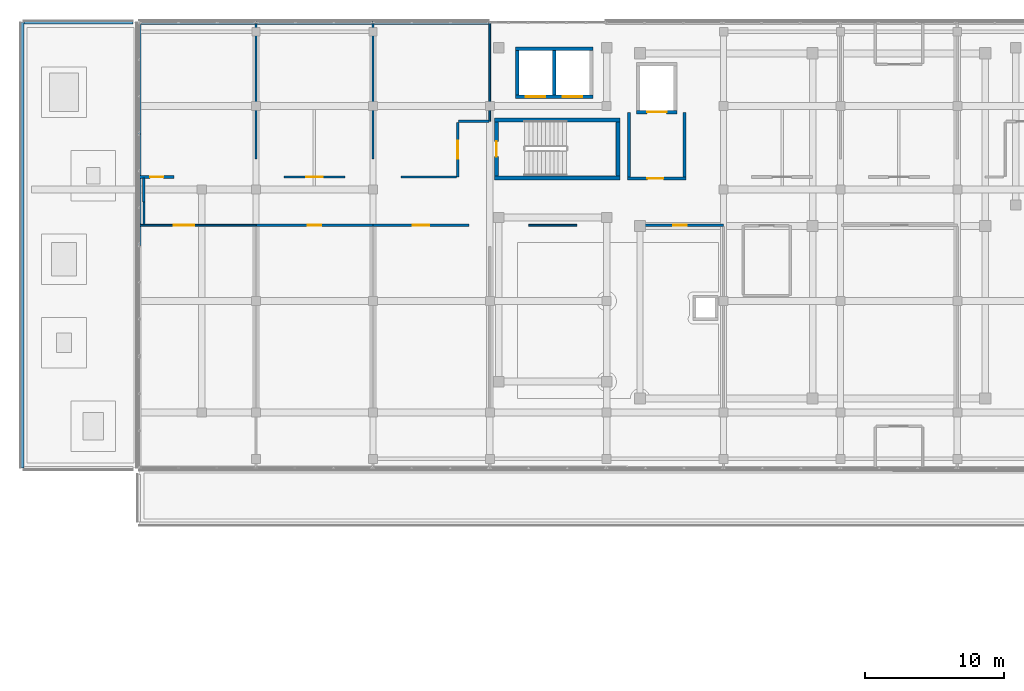
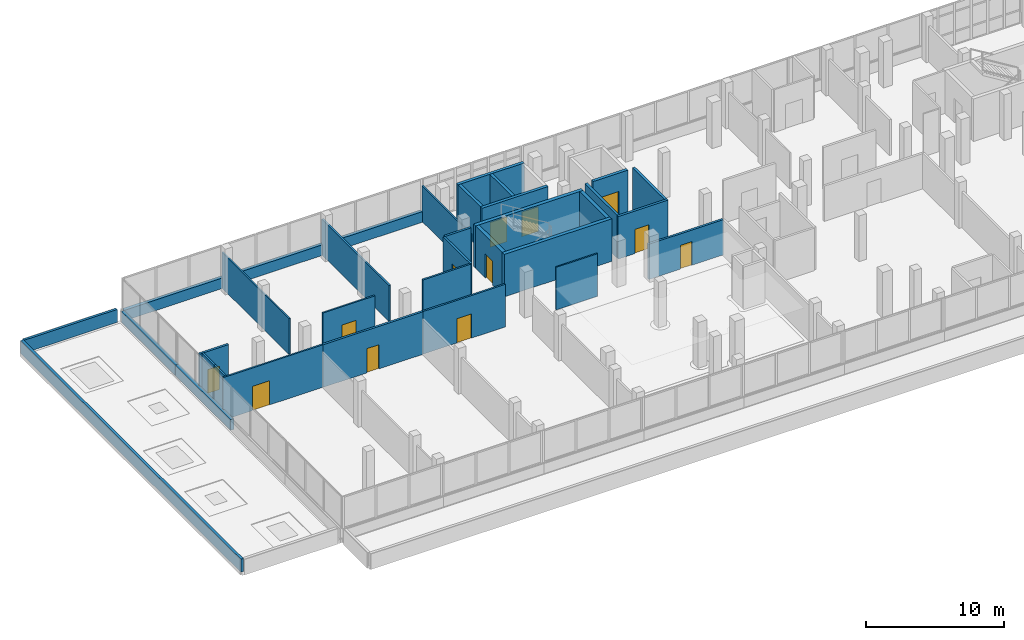
# One storey, part 67 of 78: 34 walls, 12 doors, 12 openings.
"""IFC4 building model written with IfcOpenShell, lengths in metres."""

from ifc_helpers import new_model, si_unit, direction, frame, frame_2d, origin, place, context, subcontext, project, spatial, rectangle, extrude, material, layer, layer_set, type_object, element, fill, save


model = new_model("IFC4")

# Units and contexts
model_context = context("Model", 3, precision=1e-05, world=origin(), true_north=direction((0.0, 1.0)))
body_context = subcontext(model_context, "Body", "Model", "MODEL_VIEW")
ifc_project = project(units=[si_unit("LENGTHUNIT", "METRE"), si_unit("AREAUNIT", "SQUARE_METRE"), si_unit("VOLUMEUNIT", "CUBIC_METRE"), si_unit("PLANEANGLEUNIT", "RADIAN"), si_unit("MASSUNIT", "GRAM", prefix="KILO")], contexts=[model_context])

# Site, building, storey
site_placement = place(None, origin())
site = spatial("IfcSite", under=ifc_project, at=site_placement, CompositionType="ELEMENT")
building_placement = place(site_placement, origin())
building = spatial("IfcBuilding", under=site, at=building_placement, Name="Selatvlak General Hospital", CompositionType="ELEMENT")
storey_placement = place(building_placement, frame((0.0, 0.0, 23.25)))
storey = spatial("IfcBuildingStorey", under=building, at=storey_placement, Name="L05", CompositionType="ELEMENT", Elevation=23.25)

# Walls
ifc_material_1 = material(Name="Precast concrete C40/50 - white Bauhaus spandrel", Category="concrete")
ifc_layer_1 = layer(ifc_material_1, 0.280029296875, Name="Precast concrete C40/50 - white Bauhaus spandrel", Category="concrete")
ifc_layer_set_1 = layer_set([ifc_layer_1], Name="Precast concrete C40/50 - white Bauhaus spandrel")
wall_type_1 = type_object("IfcWallType", Name="WALL-EW-02", PredefinedType="SOLIDWALL", material=ifc_layer_set_1)
wall_1_placement = place(storey_placement, frame((22.800048828125, 104.0009765625, 0.0), z_axis=(0.0, 0.0, 1.0), x_axis=(0.0, 1.0, 0.0)))
element("IfcWall", 1, at=wall_1_placement, inside=storey, type_object=wall_type_1, Name="L05 Bauhaus spandrel sill wall 0478", PredefinedType="SOLIDWALL", context=body_context, shape_type="SweptSolid", body=[
    extrude(rectangle(XDim=7.99609375, YDim=0.280029296875, at=frame_2d((3.998046875, 0.0))), origin(), (0.0, 0.0, 1.0), 0.93994140625),
])
wall_2_placement = place(storey_placement, frame((22.800048828125, 112.0009765625, 0.0), z_axis=(0.0, 0.0, 1.0), x_axis=(0.0, 1.0, 0.0)))
element("IfcWall", 2, at=wall_2_placement, inside=storey, type_object=wall_type_1, Name="L05 Bauhaus spandrel sill wall 0479", PredefinedType="SOLIDWALL", context=body_context, shape_type="SweptSolid", body=[
    extrude(rectangle(XDim=7.85791015625, YDim=0.280029296875, at=frame_2d((3.928955078125, 0.0))), origin(), (0.0, 0.0, 1.0), 0.93994140625),
])
wall_3_placement = place(storey_placement, frame((22.93994140625, 119.9990234375, 0.0), z_axis=(0.0, 0.0, 1.0), x_axis=(1.0, 0.0, 0.0)))
element("IfcWall", 3, at=wall_3_placement, inside=storey, type_object=wall_type_1, Name="L05 Bauhaus spandrel sill wall 0480", PredefinedType="SOLIDWALL", context=body_context, shape_type="SweptSolid", body=[
    extrude(rectangle(XDim=8.237060546875, YDim=0.280029296875, at=frame_2d((4.11865234375, 0.0))), origin(), (0.0, 0.0, 1.0), 0.93994140625),
])
for number, where, z_axis, x_axis, name in (
    (4, (31.180908203125, 119.9990234375, 0.0), (0.0, 0.0, 1.0), (1.0, 0.0, 0.0), "L05 Bauhaus spandrel sill wall 0481"),
    (5, (39.56005859375, 119.9990234375, 0.0), (0.0, 0.0, 1.0), (1.0, 0.0, 0.0), "L05 Bauhaus spandrel sill wall 0482"),
):
    element("IfcWall", number, at=place(storey_placement, frame(where, z_axis=z_axis, x_axis=x_axis)), inside=storey, type_object=wall_type_1, Name=name, PredefinedType="SOLIDWALL", context=body_context, shape_type="SweptSolid", body=[
        extrude(rectangle(XDim=8.375, YDim=0.280029296875, at=frame_2d((4.1875, 0.0))), origin(), (0.0, 0.0, 1.0), 0.93994140625),
    ])

# Wall, opening, door
ifc_material_2 = material(Name="Concrete C40/50", Category="concrete")
ifc_layer_2 = layer(ifc_material_2, 0.199951171875, Name="Concrete C40/50", Category="concrete")
ifc_layer_set_2 = layer_set([ifc_layer_2], Name="Concrete C40/50")
wall_type_2 = type_object("IfcWallType", Name="WALL-IW-02", PredefinedType="SOLIDWALL", material=ifc_layer_set_2)
wall_4_placement = place(storey_placement, frame((57.89990234375, 108.800048828125, 0.0), z_axis=(0.0, 0.0, 1.0), x_axis=(1.0, 0.0, 0.0)))
wall_4 = element("IfcWall", 6, at=wall_4_placement, inside=storey, type_object=wall_type_2, Name="Firefighting lobby C1 wall L05 S", PredefinedType="SOLIDWALL", context=body_context, shape_type="SweptSolid", body=[
    extrude(rectangle(XDim=4.2001953125, YDim=0.199951171875, at=frame_2d((2.10009765625, 0.0))), origin(), (0.0, 0.0, 1.0), 3.77490234375),
])
opening_1_placement = place(wall_4_placement, frame((1.425048828125, 0.0, 0.0)))
opening_1 = element("IfcOpeningElement", 7, at=opening_1_placement, cuts=wall_4, Name="Opening D-06", PredefinedType="OPENING", context=body_context, shape_type="SweptSolid", body=[
    extrude(rectangle(XDim=1.14990234375, YDim=2.14990234375, at=frame_2d((0.574951171875, 1.074951171875))), frame((0.0, 0.10986328125, 0.0), z_axis=(0.0, -1.0, 0.0), x_axis=(1.0, 0.0, 0.0)), (0.0, 0.0, 1.0), 0.219970703125),
])
ifc_material_3 = material(Name="Firefighting lobby fire door")
door_type_1 = type_object("IfcDoorType", Name="DOOR-D-06", OperationType="NOTDEFINED", PredefinedType="DOOR", material=ifc_material_3)
door_1_placement = place(opening_1_placement, origin())
door_1 = element("IfcDoor", 8, at=door_1_placement, inside=storey, type_object=door_type_1, Name="Firefighting lobby C1 door on L05", OperationType="SINGLE_SWING_RIGHT", OverallHeight=2.14990234375, OverallWidth=1.14990234375, PredefinedType="DOOR", context=body_context, shape_type="SweptSolid", body=[
    extrude(rectangle(XDim=1.14990234375, YDim=2.14990234375, at=frame_2d((0.574951171875, 1.074951171875))), frame((0.0, 0.02490234375, 0.0), z_axis=(0.0, -1.0, 0.0), x_axis=(1.0, 0.0, 0.0)), (0.0, 0.0, 1.0), 0.050048828125),
])
fill(opening_1, door_1)

# Walls
for number, where, z_axis, x_axis, name in (
    (9, (62.0, 108.89990234375, 0.0), (0.0, 0.0, 1.0), (0.0, 1.0, 0.0), "Firefighting lobby C1 wall L05 E"),
    (10, (58.0, 113.550048828125, 0.0), (0.0, 0.0, 1.0), (0.0, -1.0, 0.0), "Firefighting lobby C1 wall L05 W"),
):
    element("IfcWall", number, at=place(storey_placement, frame(where, z_axis=z_axis, x_axis=x_axis)), inside=storey, type_object=wall_type_2, Name=name, PredefinedType="SOLIDWALL", context=body_context, shape_type="SweptSolid", body=[
        extrude(rectangle(XDim=4.650146484375, YDim=0.199951171875, at=frame_2d((2.3251953125, 0.0))), origin(), (0.0, 0.0, 1.0), 3.77490234375),
    ])
ifc_material_4 = material(Name="Precast concrete C40/50 - white fair-faced", Category="concrete")
ifc_layer_3 = layer(ifc_material_4, 0.199951171875, Name="Precast concrete C40/50 - white fair-faced", Category="concrete")
ifc_layer_set_3 = layer_set([ifc_layer_3], Name="Precast concrete C40/50 - white fair-faced")
wall_type_3 = type_object("IfcWallType", Name="WALL-PR-01", PredefinedType="PARAPET", material=ifc_layer_set_3)
wall_5_placement = place(storey_placement, frame((14.51806640625, 120.0, 0.050048828125), z_axis=(0.0, 0.0, 1.0), x_axis=(1.0, 0.0, 0.0)))
element("IfcWall", 11, at=wall_5_placement, inside=storey, type_object=wall_type_3, Name="L05 roof parapet upstand PAR-L05-035", PredefinedType="PARAPET", context=body_context, shape_type="SweptSolid", body=[
    extrude(rectangle(XDim=7.822998046875, YDim=0.199951171875, at=frame_2d((3.91162109375, 0.0))), origin(), (0.0, 0.0, 1.0), 1.14990234375),
])
ifc_layer_4 = layer(ifc_material_4, 0.219970703125, Name="Precast concrete C40/50 - white fair-faced", Category="concrete")
ifc_layer_set_4 = layer_set([ifc_layer_4], Name="Precast concrete C40/50 - white fair-faced")
wall_type_4 = type_object("IfcWallType", Name="WALL-PR-02", PredefinedType="PARAPET", material=ifc_layer_set_4)
wall_6_placement = place(storey_placement, frame((14.39990234375, 88.0, 0.050048828125), z_axis=(0.0, 0.0, 1.0), x_axis=(0.0, 1.0, 0.0)))
element("IfcWall", 12, at=wall_6_placement, inside=storey, type_object=wall_type_4, Name="L05 roof parapet upstand PAR-L05-034", PredefinedType="PARAPET", context=body_context, shape_type="SweptSolid", body=[
    extrude(rectangle(XDim=32.0, YDim=0.219970703125, at=frame_2d((16.0, 0.0))), origin(), (0.0, 0.0, 1.0), 1.14990234375),
])

# Wall, opening, door
ifc_material_5 = material(Name="Acoustic gypsum stud partition")
ifc_layer_5 = layer(ifc_material_5, 0.179931640625, Name="Acoustic gypsum stud partition")
ifc_layer_set_5 = layer_set([ifc_layer_5], Name="Acoustic gypsum stud partition")
wall_type_5 = type_object("IfcWallType", Name="WALL-PT-01", PredefinedType="PARTITIONING", material=ifc_layer_set_5)
wall_7_placement = place(storey_placement, frame((31.199951171875, 105.43994140625, 0.0), z_axis=(0.0, 0.0, 1.0), x_axis=(1.0, 0.0, 0.0)))
wall_7 = element("IfcWall", 13, at=wall_7_placement, inside=storey, type_object=wall_type_5, Name="L05 clinical partition PT-L05-1860", PredefinedType="PARTITIONING", context=body_context, shape_type="SweptSolid", body=[
    extrude(rectangle(XDim=8.400146484375, YDim=0.179931640625, at=frame_2d((4.2001953125, 0.0))), origin(), (0.0, 0.0, 1.0), 3.77490234375),
])
opening_2_placement = place(wall_7_placement, frame((3.699951171875, 0.0, 0.0)))
opening_2 = element("IfcOpeningElement", 14, at=opening_2_placement, cuts=wall_7, Name="Opening D-21", PredefinedType="OPENING", context=body_context, shape_type="SweptSolid", body=[
    extrude(rectangle(XDim=1.0, YDim=2.14990234375, at=frame_2d((0.5, 1.074951171875))), frame((0.0, 0.099853515625, 0.0), z_axis=(0.0, -1.0, 0.0), x_axis=(1.0, 0.0, 0.0)), (0.0, 0.0, 1.0), 0.199951171875),
])
ifc_material_6 = material(Name="Laboratory fire door")
door_type_2 = type_object("IfcDoorType", Name="DOOR-D-21", OperationType="NOTDEFINED", PredefinedType="DOOR", material=ifc_material_6)
door_2_placement = place(opening_2_placement, origin())
door_2 = element("IfcDoor", 15, at=door_2_placement, inside=storey, type_object=door_type_2, Name="L05 Surgical Step-Down Ward Bay 03 door", OperationType="SINGLE_SWING_LEFT", OverallHeight=2.14990234375, OverallWidth=1.0, PredefinedType="DOOR", context=body_context, shape_type="SweptSolid", body=[
    extrude(rectangle(XDim=1.0, YDim=2.14990234375, at=frame_2d((0.5, 1.074951171875))), frame((0.0, 0.02490234375, 0.0), z_axis=(0.0, -1.0, 0.0), x_axis=(1.0, 0.0, 0.0)), (0.0, 0.0, 1.0), 0.050048828125),
])
fill(opening_2, door_2)

wall_8_placement = place(storey_placement, frame((58.534912109375, 105.43994140625, 0.0), z_axis=(0.0, 0.0, 1.0), x_axis=(1.0, 0.0, 0.0)))
wall_8 = element("IfcWall", 16, at=wall_8_placement, inside=storey, type_object=wall_type_5, Name="L05 clinical partition PT-L05-1865", PredefinedType="PARTITIONING", context=body_context, shape_type="SweptSolid", body=[
    extrude(rectangle(XDim=6.26513671875, YDim=0.179931640625, at=frame_2d((3.132568359375, 0.0))), origin(), (0.0, 0.0, 1.0), 3.125),
])
opening_3_placement = place(wall_8_placement, frame((2.657958984375, 0.0, 0.0)))
opening_3 = element("IfcOpeningElement", 17, at=opening_3_placement, cuts=wall_8, Name="Opening D-02", PredefinedType="OPENING", context=body_context, shape_type="SweptSolid", body=[
    extrude(rectangle(XDim=0.949951171875, YDim=2.10009765625, at=frame_2d((0.47509765625, 1.050048828125))), frame((0.0, 0.099853515625, 0.0), z_axis=(0.0, -1.0, 0.0), x_axis=(1.0, 0.0, 0.0)), (0.0, 0.0, 1.0), 0.199951171875),
])
ifc_material_7 = material(Name="Moisture-resistant en-suite door")
door_type_3 = type_object("IfcDoorType", Name="DOOR-D-02", OperationType="NOTDEFINED", PredefinedType="DOOR", material=ifc_material_7)
door_3_placement = place(opening_3_placement, origin())
door_3 = element("IfcDoor", 18, at=door_3_placement, inside=storey, type_object=door_type_3, Name="L05 Inpatient Rehabilitation Dayroom 05 door", OperationType="SINGLE_SWING_LEFT", OverallHeight=2.10009765625, OverallWidth=0.949951171875, PredefinedType="DOOR", context=body_context, shape_type="SweptSolid", body=[
    extrude(rectangle(XDim=0.949951171875, YDim=2.10009765625, at=frame_2d((0.47509765625, 1.050048828125))), frame((0.0, 0.02490234375, 0.0), z_axis=(0.0, -1.0, 0.0), x_axis=(1.0, 0.0, 0.0)), (0.0, 0.0, 1.0), 0.050048828125),
])
fill(opening_3, door_3)

wall_9_placement = place(storey_placement, frame((25.2890625, 108.909912109375, 0.0), z_axis=(0.0, 0.0, 1.0), x_axis=(-1.0, 0.0, 0.0)))
wall_9 = element("IfcWall", 19, at=wall_9_placement, inside=storey, type_object=wall_type_5, Name="L05 clinical partition PT-L05-1915", PredefinedType="PARTITIONING", context=body_context, shape_type="SweptSolid", body=[
    extrude(rectangle(XDim=2.447021484375, YDim=0.179931640625, at=frame_2d((1.2236328125, 0.0))), origin(), (0.0, 0.0, 1.0), 3.77490234375),
])
opening_4_placement = place(wall_9_placement, frame((0.7490234375, 0.0, 0.0)))
opening_4 = element("IfcOpeningElement", 20, at=opening_4_placement, cuts=wall_9, Name="Opening D-02", PredefinedType="OPENING", context=body_context, shape_type="SweptSolid", body=[
    extrude(rectangle(XDim=0.949951171875, YDim=2.10009765625, at=frame_2d((0.47509765625, 1.050048828125))), frame((0.0, 0.099853515625, 0.0), z_axis=(0.0, -1.0, 0.0), x_axis=(1.0, 0.0, 0.0)), (0.0, 0.0, 1.0), 0.199951171875),
])
door_4_placement = place(opening_4_placement, origin())
door_4 = element("IfcDoor", 21, at=door_4_placement, inside=storey, type_object=door_type_3, Name="L05 Acute General Medicine Ward Bay 20 door", OperationType="SINGLE_SWING_LEFT", OverallHeight=2.10009765625, OverallWidth=0.949951171875, PredefinedType="DOOR", context=body_context, shape_type="SweptSolid", body=[
    extrude(rectangle(XDim=0.949951171875, YDim=2.10009765625, at=frame_2d((0.47509765625, 1.050048828125))), frame((0.0, 0.02490234375, 0.0), z_axis=(0.0, -1.0, 0.0), x_axis=(1.0, 0.0, 0.0)), (0.0, 0.0, 1.0), 0.050048828125),
])
fill(opening_4, door_4)

# Walls
wall_10_placement = place(storey_placement, frame((47.944091796875, 112.89990234375, 0.0), z_axis=(0.0, 0.0, 1.0), x_axis=(-1.0, 0.0, 0.0)))
element("IfcWall", 22, at=wall_10_placement, inside=storey, type_object=wall_type_5, Name="L05 clinical partition PT-L05-1920", PredefinedType="PARTITIONING", context=body_context, shape_type="SweptSolid", body=[
    extrude(rectangle(XDim=2.194091796875, YDim=0.179931640625, at=frame_2d((1.09716796875, 0.0))), origin(), (0.0, 0.0, 1.0), 3.77490234375),
])
ifc_layer_6 = layer(ifc_material_5, 0.1650390625, Name="Acoustic gypsum stud partition")
ifc_layer_set_6 = layer_set([ifc_layer_6], Name="Acoustic gypsum stud partition")
wall_type_6 = type_object("IfcWallType", Name="WALL-PT-02", PredefinedType="PARTITIONING", material=ifc_layer_set_6)
wall_11_placement = place(storey_placement, frame((23.139892578125, 108.823974609375, 0.0), z_axis=(0.0, 0.0, 1.0), x_axis=(0.0, -1.0, 0.0)))
element("IfcWall", 23, at=wall_11_placement, inside=storey, type_object=wall_type_6, Name="L05 clinical partition PT-L05-1916", PredefinedType="PARTITIONING", context=body_context, shape_type="SweptSolid", body=[
    extrude(rectangle(XDim=1.723876953125, YDim=0.1650390625, at=frame_2d((0.86181640625, 0.0))), origin(), (0.0, 0.0, 1.0), 3.77490234375),
])

# Wall, opening, door
wall_12_placement = place(storey_placement, frame((45.68994140625, 112.840087890625, 0.0), z_axis=(0.0, 0.0, 1.0), x_axis=(0.0, -1.0, 0.0)))
wall_12 = element("IfcWall", 24, at=wall_12_placement, inside=storey, type_object=wall_type_6, Name="L05 clinical partition PT-L05-1921", PredefinedType="PARTITIONING", context=body_context, shape_type="SweptSolid", body=[
    extrude(rectangle(XDim=3.93017578125, YDim=0.1650390625, at=frame_2d((1.965087890625, 0.0))), origin(), (0.0, 0.0, 1.0), 3.77490234375),
])
opening_5_placement = place(wall_12_placement, frame((1.31494140625, 0.0, 0.0)))
opening_5 = element("IfcOpeningElement", 25, at=opening_5_placement, cuts=wall_12, Name="Opening D-09", PredefinedType="OPENING", context=body_context, shape_type="SweptSolid", body=[
    extrude(rectangle(XDim=1.300048828125, YDim=2.14990234375, at=frame_2d((0.64990234375, 1.074951171875))), frame((0.0, 0.092529296875, 0.0), z_axis=(0.0, -1.0, 0.0), x_axis=(1.0, 0.0, 0.0)), (0.0, 0.0, 1.0), 0.18505859375),
])
ifc_material_8 = material(Name="Outpatient procedure door")
door_type_4 = type_object("IfcDoorType", Name="DOOR-D-09", OperationType="NOTDEFINED", PredefinedType="DOOR", material=ifc_material_8)
door_5_placement = place(opening_5_placement, origin())
door_5 = element("IfcDoor", 26, at=door_5_placement, inside=storey, type_object=door_type_4, Name="L05 Ward Clinical Pharmacy Room 22 door", OperationType="SINGLE_SWING_LEFT", OverallHeight=2.14990234375, OverallWidth=1.300048828125, PredefinedType="DOOR", context=body_context, shape_type="SweptSolid", body=[
    extrude(rectangle(XDim=1.300048828125, YDim=2.14990234375, at=frame_2d((0.64990234375, 1.074951171875))), frame((0.0, 0.02490234375, 0.0), z_axis=(0.0, -1.0, 0.0), x_axis=(1.0, 0.0, 0.0)), (0.0, 0.0, 1.0), 0.050048828125),
])
fill(opening_5, door_5)

# Wall
ifc_layer_7 = layer(ifc_material_5, 0.14990234375, Name="Acoustic gypsum stud partition")
ifc_layer_set_7 = layer_set([ifc_layer_7], Name="Acoustic gypsum stud partition")
wall_type_7 = type_object("IfcWallType", Name="WALL-PT-03", PredefinedType="PARTITIONING", material=ifc_layer_set_7)
wall_13_placement = place(storey_placement, frame((23.139892578125, 107.10009765625, 0.0), z_axis=(0.0, 0.0, 1.0), x_axis=(0.0, -1.0, 0.0)))
element("IfcWall", 27, at=wall_13_placement, inside=storey, type_object=wall_type_7, Name="L05 clinical partition PT-L05-1857", PredefinedType="PARTITIONING", context=body_context, shape_type="SweptSolid", body=[
    extrude(rectangle(XDim=1.60009765625, YDim=0.14990234375, at=frame_2d((0.800048828125, 0.0))), origin(), (0.0, 0.0, 1.0), 3.77490234375),
])

# Wall, opening, door
wall_14_placement = place(storey_placement, frame((39.60009765625, 105.43994140625, 0.0), z_axis=(0.0, 0.0, 1.0), x_axis=(1.0, 0.0, 0.0)))
wall_14 = element("IfcWall", 28, at=wall_14_placement, inside=storey, type_object=wall_type_7, Name="L05 clinical partition PT-L05-1862", PredefinedType="PARTITIONING", context=body_context, shape_type="SweptSolid", body=[
    extrude(rectangle(XDim=6.914794921875, YDim=0.14990234375, at=frame_2d((3.45751953125, 0.0))), origin(), (0.0, 0.0, 1.0), 3.77490234375),
])
opening_6_placement = place(wall_14_placement, frame((2.85693359375, 0.0, 0.0)))
opening_6 = element("IfcOpeningElement", 29, at=opening_6_placement, cuts=wall_14, Name="Opening D-23", PredefinedType="OPENING", context=body_context, shape_type="SweptSolid", body=[
    extrude(rectangle(XDim=1.199951171875, YDim=2.14990234375, at=frame_2d((0.60009765625, 1.074951171875))), frame((0.0, 0.0849609375, 0.0), z_axis=(0.0, -1.0, 0.0), x_axis=(1.0, 0.0, 0.0)), (0.0, 0.0, 1.0), 0.169921875),
])
ifc_material_9 = material(Name="Endoscopy clinical door")
door_type_5 = type_object("IfcDoorType", Name="DOOR-D-23", OperationType="NOTDEFINED", PredefinedType="DOOR", material=ifc_material_9)
door_6_placement = place(opening_6_placement, origin())
door_6 = element("IfcDoor", 30, at=door_6_placement, inside=storey, type_object=door_type_5, Name="L05 Outpatient Specialist Waiting Concourse 04 door", OperationType="SINGLE_SWING_RIGHT", OverallHeight=2.14990234375, OverallWidth=1.199951171875, PredefinedType="DOOR", context=body_context, shape_type="SweptSolid", body=[
    extrude(rectangle(XDim=1.199951171875, YDim=2.14990234375, at=frame_2d((0.60009765625, 1.074951171875))), frame((0.0, 0.02490234375, 0.0), z_axis=(0.0, -1.0, 0.0), x_axis=(1.0, 0.0, 0.0)), (0.0, 0.0, 1.0), 0.050048828125),
])
fill(opening_6, door_6)

# Walls
wall_15_placement = place(storey_placement, frame((39.60009765625, 119.95703125, 0.0), z_axis=(0.0, 0.0, 1.0), x_axis=(0.0, -1.0, 0.0)))
element("IfcWall", 31, at=wall_15_placement, inside=storey, type_object=wall_type_7, Name="L05 clinical partition PT-L05-1917", PredefinedType="PARTITIONING", context=body_context, shape_type="SweptSolid", body=[
    extrude(rectangle(XDim=9.7470703125, YDim=0.14990234375, at=frame_2d((4.87353515625, 0.0))), origin(), (0.0, 0.0, 1.0), 3.175048828125),
])
wall_16_placement = place(storey_placement, frame((45.611083984375, 108.909912109375, 0.0), z_axis=(0.0, 0.0, 1.0), x_axis=(-1.0, 0.0, 0.0)))
element("IfcWall", 32, at=wall_16_placement, inside=storey, type_object=wall_type_7, Name="L05 clinical partition PT-L05-1922", PredefinedType="PARTITIONING", context=body_context, shape_type="SweptSolid", body=[
    extrude(rectangle(XDim=4.0, YDim=0.14990234375, at=frame_2d((2.0, 0.0))), origin(), (0.0, 0.0, 1.0), 3.77490234375),
])

# Wall, opening, door
ifc_material_10 = material(Name="Moisture-resistant clinical partition")
ifc_layer_8 = layer(ifc_material_10, 0.135009765625, Name="Moisture-resistant clinical partition")
ifc_layer_set_8 = layer_set([ifc_layer_8], Name="Moisture-resistant clinical partition")
wall_type_8 = type_object("IfcWallType", Name="WALL-PT-04", PredefinedType="PARTITIONING", material=ifc_layer_set_8)
wall_17_placement = place(storey_placement, frame((22.842041015625, 105.43994140625, 0.0), z_axis=(0.0, 0.0, 1.0), x_axis=(1.0, 0.0, 0.0)))
wall_17 = element("IfcWall", 33, at=wall_17_placement, inside=storey, type_object=wall_type_8, Name="L05 clinical partition PT-L05-1858", PredefinedType="PARTITIONING", context=body_context, shape_type="SweptSolid", body=[
    extrude(rectangle(XDim=8.35791015625, YDim=0.135009765625, at=frame_2d((4.178955078125, 0.0))), origin(), (0.0, 0.0, 1.0), 3.77490234375),
])
opening_7_placement = place(wall_17_placement, frame((2.450927734375, 0.0, 0.0)))
opening_7 = element("IfcOpeningElement", 34, at=opening_7_placement, cuts=wall_17, Name="Opening D-12", PredefinedType="OPENING", context=body_context, shape_type="SweptSolid", body=[
    extrude(rectangle(XDim=1.449951171875, YDim=2.14990234375, at=frame_2d((0.72509765625, 1.074951171875))), frame((0.0, 0.077392578125, 0.0), z_axis=(0.0, -1.0, 0.0), x_axis=(1.0, 0.0, 0.0)), (0.0, 0.0, 1.0), 0.155029296875),
])
ifc_material_11 = material(Name="Isolation anteroom door")
door_type_6 = type_object("IfcDoorType", Name="DOOR-D-12", OperationType="NOTDEFINED", PredefinedType="DOOR", material=ifc_material_11)
door_7_placement = place(opening_7_placement, origin())
door_7 = element("IfcDoor", 35, at=door_7_placement, inside=storey, type_object=door_type_6, Name="L05 Acute General Medicine Ward Bay 02 door", OperationType="SINGLE_SWING_RIGHT", OverallHeight=2.14990234375, OverallWidth=1.449951171875, PredefinedType="DOOR", context=body_context, shape_type="SweptSolid", body=[
    extrude(rectangle(XDim=1.449951171875, YDim=2.14990234375, at=frame_2d((0.72509765625, 1.074951171875))), frame((0.0, 0.02490234375, 0.0), z_axis=(0.0, -1.0, 0.0), x_axis=(1.0, 0.0, 0.0)), (0.0, 0.0, 1.0), 0.050048828125),
])
fill(opening_7, door_7)

wall_18_placement = place(storey_placement, frame((37.589111328125, 108.909912109375, 0.0), z_axis=(0.0, 0.0, 1.0), x_axis=(-1.0, 0.0, 0.0)))
wall_18 = element("IfcWall", 36, at=wall_18_placement, inside=storey, type_object=wall_type_8, Name="L05 clinical partition PT-L05-1918", PredefinedType="PARTITIONING", context=body_context, shape_type="SweptSolid", body=[
    extrude(rectangle(XDim=4.378173828125, YDim=0.135009765625, at=frame_2d((2.18896484375, 0.0))), origin(), (0.0, 0.0, 1.0), 3.77490234375),
])
opening_8_placement = place(wall_18_placement, frame((1.589111328125, 0.0, 0.0)))
opening_8 = element("IfcOpeningElement", 37, at=opening_8_placement, cuts=wall_18, Name="Opening D-07", PredefinedType="OPENING", context=body_context, shape_type="SweptSolid", body=[
    extrude(rectangle(XDim=1.199951171875, YDim=2.14990234375, at=frame_2d((0.60009765625, 1.074951171875))), frame((0.0, 0.077392578125, 0.0), z_axis=(0.0, -1.0, 0.0), x_axis=(1.0, 0.0, 0.0)), (0.0, 0.0, 1.0), 0.155029296875),
])
ifc_material_12 = material(Name="Plant and store fire door")
door_type_7 = type_object("IfcDoorType", Name="DOOR-D-07", OperationType="NOTDEFINED", PredefinedType="DOOR", material=ifc_material_12)
door_8_placement = place(opening_8_placement, origin())
door_8 = element("IfcDoor", 38, at=door_8_placement, inside=storey, type_object=door_type_7, Name="L05 Surgical Step-Down Ward Bay 21 door", OperationType="SINGLE_SWING_RIGHT", OverallHeight=2.14990234375, OverallWidth=1.199951171875, PredefinedType="DOOR", context=body_context, shape_type="SweptSolid", body=[
    extrude(rectangle(XDim=1.199951171875, YDim=2.14990234375, at=frame_2d((0.60009765625, 1.074951171875))), frame((0.0, 0.02490234375, 0.0), z_axis=(0.0, -1.0, 0.0), x_axis=(1.0, 0.0, 0.0)), (0.0, 0.0, 1.0), 0.050048828125),
])
fill(opening_8, door_8)

# Walls
ifc_layer_9 = layer(ifc_material_10, 0.1201171875, Name="Moisture-resistant clinical partition")
ifc_layer_set_9 = layer_set([ifc_layer_9], Name="Moisture-resistant clinical partition")
wall_type_9 = type_object("IfcWallType", Name="WALL-PT-05", PredefinedType="PARTITIONING", material=ifc_layer_set_9)
wall_19_placement = place(storey_placement, frame((50.784912109375, 105.43994140625, 0.0), z_axis=(0.0, 0.0, 1.0), x_axis=(1.0, 0.0, 0.0)))
element("IfcWall", 39, at=wall_19_placement, inside=storey, type_object=wall_type_9, Name="L05 clinical partition PT-L05-1864", PredefinedType="PARTITIONING", context=body_context, shape_type="SweptSolid", body=[
    extrude(rectangle(XDim=3.47998046875, YDim=0.1201171875, at=frame_2d((1.739990234375, 0.0))), origin(), (0.0, 0.0, 1.0), 3.77490234375),
])
wall_20_placement = place(storey_placement, frame((31.199951171875, 119.95703125, 0.0), z_axis=(0.0, 0.0, 1.0), x_axis=(0.0, -1.0, 0.0)))
element("IfcWall", 40, at=wall_20_placement, inside=storey, type_object=wall_type_9, Name="L05 clinical partition PT-L05-1914", PredefinedType="PARTITIONING", context=body_context, shape_type="SweptSolid", body=[
    extrude(rectangle(XDim=9.7470703125, YDim=0.1201171875, at=frame_2d((4.87353515625, 0.0))), origin(), (0.0, 0.0, 1.0), 3.175048828125),
])
wall_21_placement = place(storey_placement, frame((48.0, 119.988037109375, 0.0), z_axis=(0.0, 0.0, 1.0), x_axis=(0.0, -1.0, 0.0)))
element("IfcWall", 41, at=wall_21_placement, inside=storey, type_object=wall_type_9, Name="L05 clinical partition PT-L05-1919", PredefinedType="PARTITIONING", context=body_context, shape_type="SweptSolid", body=[
    extrude(rectangle(XDim=7.088134765625, YDim=0.1201171875, at=frame_2d((3.5439453125, 0.0))), origin(), (0.0, 0.0, 1.0), 3.175048828125),
])
ifc_material_13 = material(Name="Concrete C45/55", Category="concrete")
ifc_layer_10 = layer(ifc_material_13, 0.300048828125, Name="Concrete C45/55", Category="concrete")
ifc_layer_set_10 = layer_set([ifc_layer_10], Name="Concrete C45/55")
wall_type_10 = type_object("IfcWallType", Name="WALL-SW-02", PredefinedType="SHEAR", material=ifc_layer_set_10)
wall_22_placement = place(storey_placement, frame((48.340087890625, 108.840087890625, 0.0), z_axis=(0.0, 0.0, 1.0), x_axis=(1.0, 0.0, 0.0)))
element("IfcWall", 42, at=wall_22_placement, inside=storey, type_object=wall_type_10, Name="ST-01 core shear wall L05 S", PredefinedType="SHEAR", context=body_context, shape_type="SweptSolid", body=[
    extrude(rectangle(XDim=9.02001953125, YDim=0.300048828125, at=frame_2d((4.510009765625, 0.0))), origin(), (0.0, 0.0, 1.0), 3.77490234375),
])
wall_23_placement = place(storey_placement, frame((57.2099609375, 108.989990234375, 0.0), z_axis=(0.0, 0.0, 1.0), x_axis=(0.0, 1.0, 0.0)))
element("IfcWall", 43, at=wall_23_placement, inside=storey, type_object=wall_type_10, Name="ST-01 core shear wall L05 E", PredefinedType="SHEAR", context=body_context, shape_type="SweptSolid", body=[
    extrude(rectangle(XDim=3.860107421875, YDim=0.300048828125, at=frame_2d((1.93017578125, 0.0))), origin(), (0.0, 0.0, 1.0), 3.77490234375),
])
wall_24_placement = place(storey_placement, frame((57.360107421875, 113.0, 0.0), z_axis=(0.0, 0.0, 1.0), x_axis=(-1.0, 0.0, 0.0)))
element("IfcWall", 44, at=wall_24_placement, inside=storey, type_object=wall_type_10, Name="ST-01 core shear wall L05 N", PredefinedType="SHEAR", context=body_context, shape_type="SweptSolid", body=[
    extrude(rectangle(XDim=9.02001953125, YDim=0.300048828125, at=frame_2d((4.510009765625, 0.0))), origin(), (0.0, 0.0, 1.0), 3.77490234375),
])

# Wall, opening, door
wall_25_placement = place(storey_placement, frame((48.489990234375, 112.85009765625, 0.0), z_axis=(0.0, 0.0, 1.0), x_axis=(0.0, -1.0, 0.0)))
wall_25 = element("IfcWall", 45, at=wall_25_placement, inside=storey, type_object=wall_type_10, Name="ST-01 core shear wall L05 W", PredefinedType="SHEAR", context=body_context, shape_type="SweptSolid", body=[
    extrude(rectangle(XDim=3.860107421875, YDim=0.300048828125, at=frame_2d((1.93017578125, 0.0))), origin(), (0.0, 0.0, 1.0), 3.77490234375),
])
opening_9_placement = place(wall_25_placement, frame((1.3798828125, 0.0, 0.0)))
opening_9 = element("IfcOpeningElement", 46, at=opening_9_placement, cuts=wall_25, Name="Opening D-05", PredefinedType="OPENING", context=body_context, shape_type="SweptSolid", body=[
    extrude(rectangle(XDim=1.10009765625, YDim=2.14990234375, at=frame_2d((0.550048828125, 1.074951171875))), frame((0.0, 0.159912109375, 0.0), z_axis=(0.0, -1.0, 0.0), x_axis=(1.0, 0.0, 0.0)), (0.0, 0.0, 1.0), 0.320068359375),
])
ifc_material_14 = material(Name="Protected stair fire door")
door_type_8 = type_object("IfcDoorType", Name="DOOR-D-05", OperationType="NOTDEFINED", PredefinedType="DOOR", material=ifc_material_14)
door_9_placement = place(opening_9_placement, origin())
door_9 = element("IfcDoor", 47, at=door_9_placement, inside=storey, type_object=door_type_8, Name="ST-01 protected stair door on L05", OperationType="SINGLE_SWING_LEFT", OverallHeight=2.14990234375, OverallWidth=1.10009765625, PredefinedType="DOOR", context=body_context, shape_type="SweptSolid", body=[
    extrude(rectangle(XDim=1.10009765625, YDim=2.14990234375, at=frame_2d((0.550048828125, 1.074951171875))), frame((0.0, 0.02490234375, 0.0), z_axis=(0.0, -1.0, 0.0), x_axis=(1.0, 0.0, 0.0)), (0.0, 0.0, 1.0), 0.050048828125),
])
fill(opening_9, door_9)

ifc_layer_11 = layer(ifc_material_2, 0.25, Name="Concrete C40/50", Category="concrete")
ifc_layer_set_11 = layer_set([ifc_layer_11], Name="Concrete C40/50")
wall_type_11 = type_object("IfcWallType", Name="WALL-SW-03", PredefinedType="SHEAR", material=ifc_layer_set_11)
wall_26_placement = place(storey_placement, frame((58.550048828125, 113.574951171875, 0.0), z_axis=(0.0, 0.0, 1.0), x_axis=(1.0, 0.0, 0.0)))
wall_26 = element("IfcWall", 48, at=wall_26_placement, inside=storey, type_object=wall_type_11, Name="Lift LF-01 shaft wall L05 S", PredefinedType="SHEAR", context=body_context, shape_type="SweptSolid", body=[
    extrude(rectangle(XDim=2.89990234375, YDim=0.25, at=frame_2d((1.449951171875, 0.0))), origin(), (0.0, 0.0, 1.0), 3.77490234375),
])
opening_10_placement = place(wall_26_placement, frame((0.75, 0.0, 0.0)))
opening_10 = element("IfcOpeningElement", 49, at=opening_10_placement, cuts=wall_26, Name="Opening LD-F1", PredefinedType="OPENING", context=body_context, shape_type="SweptSolid", body=[
    extrude(rectangle(XDim=1.39990234375, YDim=2.14990234375, at=frame_2d((0.699951171875, 1.074951171875))), frame((0.0, 0.135009765625, 0.0), z_axis=(0.0, -1.0, 0.0), x_axis=(1.0, 0.0, 0.0)), (0.0, 0.0, 1.0), 0.27001953125),
])
ifc_material_15 = material(Name="Stainless steel fire lift landing door", Category="steel")
door_type_9 = type_object("IfcDoorType", Name="DOOR-LD-F1", OperationType="DOUBLE_DOOR_SLIDING", PredefinedType="DOOR", material=ifc_material_15)
door_10_placement = place(opening_10_placement, origin())
door_10 = element("IfcDoor", 50, at=door_10_placement, inside=storey, type_object=door_type_9, Name="Lift LF-01 sliding landing door on L05", OperationType="DOUBLE_DOOR_SLIDING", OverallHeight=2.14990234375, OverallWidth=1.39990234375, PredefinedType="DOOR", context=body_context, shape_type="SweptSolid", body=[
    extrude(rectangle(XDim=1.39990234375, YDim=2.14990234375, at=frame_2d((0.699951171875, 1.074951171875))), frame((0.0, 0.02490234375, 0.0), z_axis=(0.0, -1.0, 0.0), x_axis=(1.0, 0.0, 0.0)), (0.0, 0.0, 1.0), 0.050048828125),
])
fill(opening_10, door_10)

# Wall, openings, doors
wall_27_placement = place(storey_placement, frame((49.85009765625, 114.675048828125, 0.0), z_axis=(0.0, 0.0, 1.0), x_axis=(1.0, 0.0, 0.0)))
wall_27 = element("IfcWall", 51, at=wall_27_placement, inside=storey, type_object=wall_type_11, Name="Lift LB-01-LB-02 shaft wall L05 S", PredefinedType="SHEAR", context=body_context, shape_type="SweptSolid", body=[
    extrude(rectangle(XDim=5.5498046875, YDim=0.25, at=frame_2d((2.77490234375, 0.0))), origin(), (0.0, 0.0, 1.0), 3.77490234375),
])
opening_11_placement = place(wall_27_placement, frame((0.75, 0.0, 0.0)))
opening_11 = element("IfcOpeningElement", 52, at=opening_11_placement, cuts=wall_27, Name="Opening LD-B1", PredefinedType="OPENING", context=body_context, shape_type="SweptSolid", body=[
    extrude(rectangle(XDim=1.39990234375, YDim=2.199951171875, at=frame_2d((0.699951171875, 1.10009765625))), frame((0.0, 0.135009765625, 0.0), z_axis=(0.0, -1.0, 0.0), x_axis=(1.0, 0.0, 0.0)), (0.0, 0.0, 1.0), 0.27001953125),
])
opening_12_placement = place(wall_27_placement, frame((3.39990234375, 0.0, 0.0)))
opening_12 = element("IfcOpeningElement", 53, at=opening_12_placement, cuts=wall_27, Name="Opening LD-B1", PredefinedType="OPENING", context=body_context, shape_type="SweptSolid", body=[
    extrude(rectangle(XDim=1.39990234375, YDim=2.199951171875, at=frame_2d((0.699951171875, 1.10009765625))), frame((0.0, 0.135009765625, 0.0), z_axis=(0.0, -1.0, 0.0), x_axis=(1.0, 0.0, 0.0)), (0.0, 0.0, 1.0), 0.27001953125),
])
ifc_material_16 = material(Name="Stainless steel stretcher lift landing door", Category="steel")
door_type_10 = type_object("IfcDoorType", Name="DOOR-LD-B1", OperationType="DOUBLE_DOOR_SLIDING", PredefinedType="DOOR", material=ifc_material_16)
door_11_placement = place(opening_11_placement, origin())
door_11 = element("IfcDoor", 54, at=door_11_placement, inside=storey, type_object=door_type_10, Name="Lift LB-01 sliding landing door on L05", OperationType="DOUBLE_DOOR_SLIDING", OverallHeight=2.199951171875, OverallWidth=1.39990234375, PredefinedType="DOOR", context=body_context, shape_type="SweptSolid", body=[
    extrude(rectangle(XDim=1.39990234375, YDim=2.199951171875, at=frame_2d((0.699951171875, 1.10009765625))), frame((0.0, 0.02490234375, 0.0), z_axis=(0.0, -1.0, 0.0), x_axis=(1.0, 0.0, 0.0)), (0.0, 0.0, 1.0), 0.050048828125),
])
fill(opening_11, door_11)
door_12_placement = place(opening_12_placement, origin())
door_12 = element("IfcDoor", 55, at=door_12_placement, inside=storey, type_object=door_type_10, Name="Lift LB-02 sliding landing door on L05", OperationType="DOUBLE_DOOR_SLIDING", OverallHeight=2.199951171875, OverallWidth=1.39990234375, PredefinedType="DOOR", context=body_context, shape_type="SweptSolid", body=[
    extrude(rectangle(XDim=1.39990234375, YDim=2.199951171875, at=frame_2d((0.699951171875, 1.10009765625))), frame((0.0, 0.02490234375, 0.0), z_axis=(0.0, -1.0, 0.0), x_axis=(1.0, 0.0, 0.0)), (0.0, 0.0, 1.0), 0.050048828125),
])
fill(opening_12, door_12)

# Walls
wall_28_placement = place(storey_placement, frame((55.39990234375, 118.125, 0.0), z_axis=(0.0, 0.0, 1.0), x_axis=(-1.0, 0.0, 0.0)))
element("IfcWall", 56, at=wall_28_placement, inside=storey, type_object=wall_type_11, Name="Lift LB-01-LB-02 shaft wall L05 N", PredefinedType="SHEAR", context=body_context, shape_type="SweptSolid", body=[
    extrude(rectangle(XDim=5.5498046875, YDim=0.25, at=frame_2d((2.77490234375, 0.0))), origin(), (0.0, 0.0, 1.0), 3.77490234375),
])
for number, where, z_axis, x_axis, name in (
    (57, (49.97509765625, 118.0, 0.0), (0.0, 0.0, 1.0), (0.0, -1.0, 0.0), "Lift LB-01-LB-02 shaft wall L05 W"),
    (58, (52.625, 114.800048828125, 0.0), (0.0, 0.0, 1.0), (0.0, 1.0, 0.0), "Lift LB-01-LB-02 dividing shaft wall L05"),
):
    element("IfcWall", number, at=place(storey_placement, frame(where, z_axis=z_axis, x_axis=x_axis)), inside=storey, type_object=wall_type_11, Name=name, PredefinedType="SHEAR", context=body_context, shape_type="SweptSolid", body=[
        extrude(rectangle(XDim=3.199951171875, YDim=0.25, at=frame_2d((1.60009765625, 0.0))), origin(), (0.0, 0.0, 1.0), 3.77490234375),
    ])

save(model, "model.ifc")
